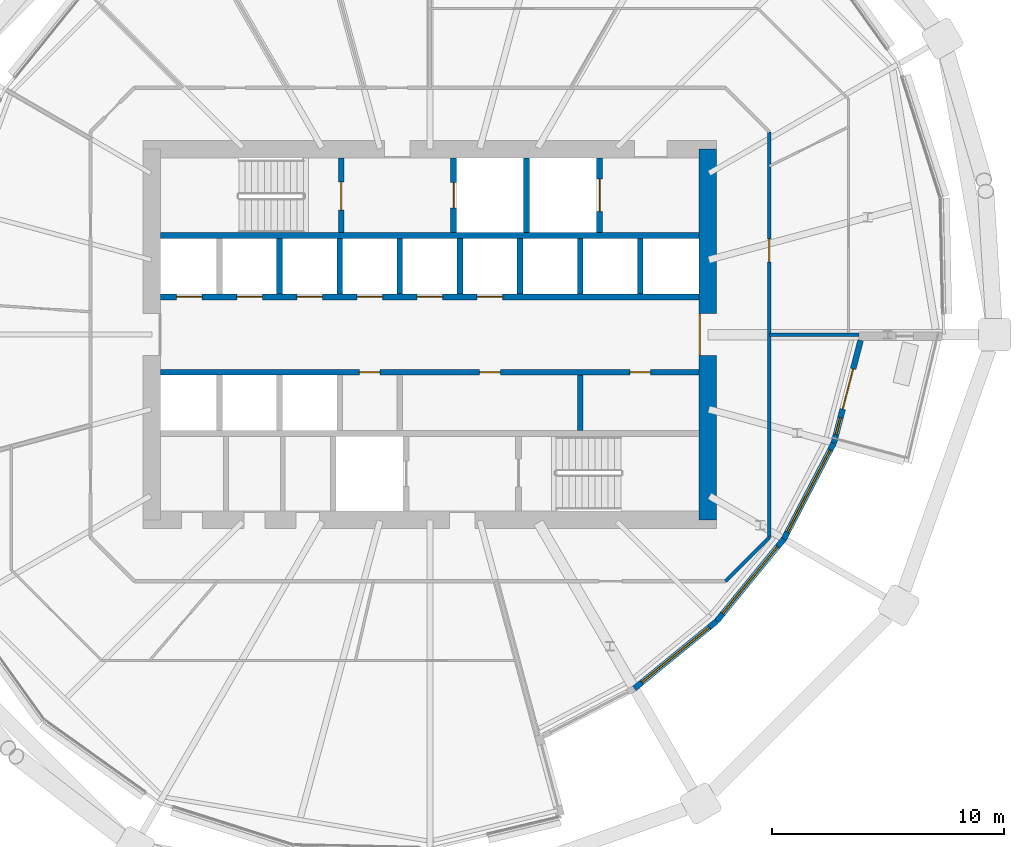
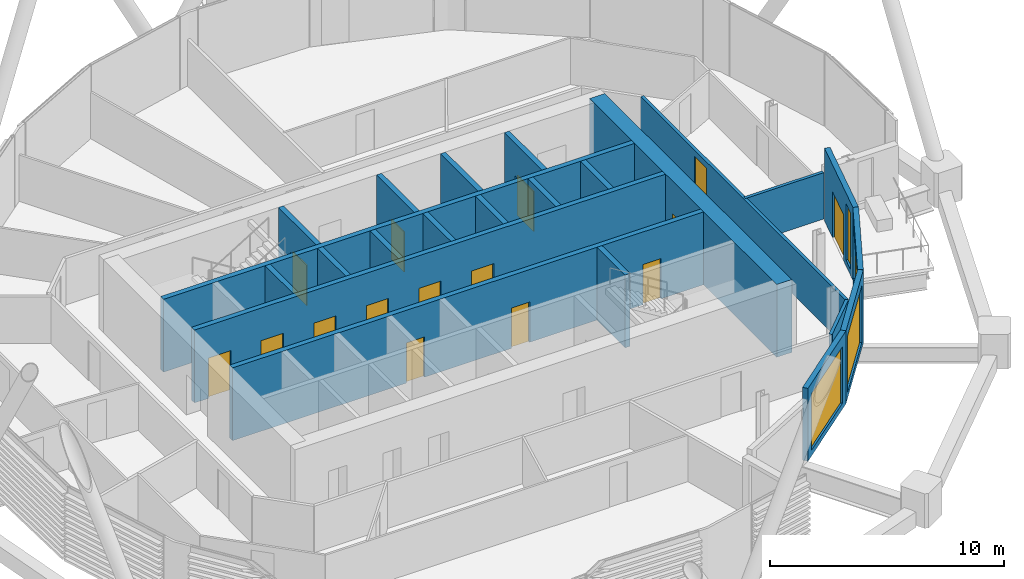
# One storey, part 27 of 38: 23 walls, 15 doors, 4 windows, 19 openings.
"""IFC4 building model written with IfcOpenShell, lengths in metres."""

from ifc_helpers import new_model, si_unit, direction, frame, frame_2d, origin, place, context, subcontext, project, spatial, rectangle, extrude, material, layer, layer_set, type_object, element, fill, save


model = new_model("IFC4")

# Units and contexts
model_context = context("Model", 3, precision=1e-05, world=origin(), true_north=direction((0.0, 1.0)))
body_context = subcontext(model_context, "Body", "Model", "MODEL_VIEW")
ifc_project = project(units=[si_unit("LENGTHUNIT", "METRE"), si_unit("AREAUNIT", "SQUARE_METRE"), si_unit("VOLUMEUNIT", "CUBIC_METRE"), si_unit("PLANEANGLEUNIT", "RADIAN"), si_unit("MASSUNIT", "GRAM", prefix="KILO")], contexts=[model_context])

# Site, building, storey
site_placement = place(None, origin())
site = spatial("IfcSite", under=ifc_project, at=site_placement, CompositionType="ELEMENT")
building_placement = place(site_placement, origin())
building = spatial("IfcBuilding", under=site, at=building_placement, Name="Rimbun Link Towers", CompositionType="ELEMENT")
storey_placement = place(building_placement, frame((0.0, 0.0, 93.0)))
storey = spatial("IfcBuildingStorey", under=building, at=storey_placement, Name="L22", CompositionType="ELEMENT", Elevation=93.0)

# Wall, opening, window
ifc_material_1 = material(Name="Dark enamelled glass spandrel on insulated aluminium backpan", Category="aluminium")
ifc_layer_1 = layer(ifc_material_1, 0.25)
ifc_layer_set_1 = layer_set([ifc_layer_1], Name="CS dark enamelled spandrel wall 250")
wall_type_1 = type_object("IfcWallType", Name="CS dark enamelled spandrel wall 250", PredefinedType="STANDARD", material=ifc_layer_set_1)
wall_1_placement = place(storey_placement, frame((44.126220703125, -12.376220703125, 0.0), z_axis=(0.0, 0.0, 1.0), x_axis=(-0.773897956984, -0.633310312703, 0.0)))
wall_1 = element("IfcWall", 1, at=wall_1_placement, inside=storey, type_object=wall_type_1, Name="Crease spandrel wall", PredefinedType="STANDARD", context=body_context, shape_type="SweptSolid", body=[
    extrude(rectangle(XDim=4.582763671875, YDim=0.25, at=frame_2d((2.29150390625, 0.0))), origin(), (0.0, 0.0, 1.0), 3.800048828125),
])
opening_1_placement = place(wall_1_placement, frame((0.416259765625, 0.0, 0.300048828125)))
opening_1 = element("IfcOpeningElement", 2, at=opening_1_placement, cuts=wall_1, Name="Opening WR38H295", PredefinedType="OPENING", context=body_context, shape_type="SweptSolid", body=[
    extrude(rectangle(XDim=3.75, YDim=2.949951171875, at=frame_2d((1.875, 1.47509765625))), frame((0.0, 0.135009765625, 0.0), z_axis=(0.0, -1.0, 0.0), x_axis=(1.0, 0.0, 0.0)), (0.0, 0.0, 1.0), 0.27001953125),
])
ifc_material_2 = material(Name="Aluminium framed fixed window, dark tinted low-e glass", Category="aluminium")
window_type_1 = type_object("IfcWindowType", Name="WR ribbon window 3750X2950", PartitioningType="SINGLE_PANEL", PredefinedType="WINDOW", material=ifc_material_2)
window_1_placement = place(opening_1_placement, origin())
window_1 = element("IfcWindow", 3, at=window_1_placement, inside=storey, type_object=window_type_1, Name="Crease ribbon window", OverallHeight=2.949951171875, OverallWidth=3.75, PartitioningType="SINGLE_PANEL", PredefinedType="WINDOW", context=body_context, shape_type="SweptSolid", body=[
    extrude(rectangle(XDim=3.75, YDim=2.949951171875, at=frame_2d((1.875, 1.47509765625))), frame((0.0, 0.030029296875, 0.0), z_axis=(0.0, -1.0, 0.0), x_axis=(1.0, 0.0, 0.0)), (0.0, 0.0, 1.0), 0.06005859375),
])
fill(opening_1, window_1)

wall_2_placement = place(storey_placement, frame((47.028564453125, -8.82958984375, 0.0), z_axis=(0.0, 0.0, 1.0), x_axis=(-0.633310312703, -0.773897956984, 0.0)))
wall_2 = element("IfcWall", 4, at=wall_2_placement, inside=storey, type_object=wall_type_1, Name="Crease spandrel wall", PredefinedType="STANDARD", context=body_context, shape_type="SweptSolid", body=[
    extrude(rectangle(XDim=4.582763671875, YDim=0.25, at=frame_2d((2.29150390625, 0.0))), origin(), (0.0, 0.0, 1.0), 3.800048828125),
])
opening_2_placement = place(wall_2_placement, frame((0.416259765625, 0.0, 0.300048828125)))
opening_2 = element("IfcOpeningElement", 5, at=opening_2_placement, cuts=wall_2, Name="Opening WR38H295", PredefinedType="OPENING", context=body_context, shape_type="SweptSolid", body=[
    extrude(rectangle(XDim=3.75, YDim=2.949951171875, at=frame_2d((1.875, 1.47509765625))), frame((0.0, 0.135009765625, 0.0), z_axis=(0.0, -1.0, 0.0), x_axis=(1.0, 0.0, 0.0)), (0.0, 0.0, 1.0), 0.27001953125),
])
window_2_placement = place(opening_2_placement, origin())
window_2 = element("IfcWindow", 6, at=window_2_placement, inside=storey, type_object=window_type_1, Name="Crease ribbon window", OverallHeight=2.949951171875, OverallWidth=3.75, PartitioningType="SINGLE_PANEL", PredefinedType="WINDOW", context=body_context, shape_type="SweptSolid", body=[
    extrude(rectangle(XDim=3.75, YDim=2.949951171875, at=frame_2d((1.875, 1.47509765625))), frame((0.0, 0.030029296875, 0.0), z_axis=(0.0, -1.0, 0.0), x_axis=(1.0, 0.0, 0.0)), (0.0, 0.0, 1.0), 0.06005859375),
])
fill(opening_2, window_2)

wall_3_placement = place(storey_placement, frame((49.186279296875, -4.685791015625, 0.0), z_axis=(0.0, 0.0, 1.0), x_axis=(-0.461847922191, -0.886959129142, 0.0)))
wall_3 = element("IfcWall", 7, at=wall_3_placement, inside=storey, type_object=wall_type_1, Name="Crease spandrel wall", PredefinedType="STANDARD", context=body_context, shape_type="SweptSolid", body=[
    extrude(rectangle(XDim=4.671875, YDim=0.25, at=frame_2d((2.3359375, 0.0))), origin(), (0.0, 0.0, 1.0), 3.800048828125),
])
opening_3_placement = place(wall_3_placement, frame((0.3359375, 0.0, 0.300048828125)))
opening_3 = element("IfcOpeningElement", 8, at=opening_3_placement, cuts=wall_3, Name="Opening WR40H295", PredefinedType="OPENING", context=body_context, shape_type="SweptSolid", body=[
    extrude(rectangle(XDim=4.0, YDim=2.949951171875, at=frame_2d((2.0, 1.47509765625))), frame((0.0, 0.135009765625, 0.0), z_axis=(0.0, -1.0, 0.0), x_axis=(1.0, 0.0, 0.0)), (0.0, 0.0, 1.0), 0.27001953125),
])
ifc_material_3 = material(Name="Aluminium framed fixed window, dark tinted low-e glass", Category="aluminium")
window_type_2 = type_object("IfcWindowType", Name="WR ribbon window 4000X2950", PartitioningType="SINGLE_PANEL", PredefinedType="WINDOW", material=ifc_material_3)
window_3_placement = place(opening_3_placement, origin())
window_3 = element("IfcWindow", 9, at=window_3_placement, inside=storey, type_object=window_type_2, Name="Crease ribbon window", OverallHeight=2.949951171875, OverallWidth=4.0, PartitioningType="SINGLE_PANEL", PredefinedType="WINDOW", context=body_context, shape_type="SweptSolid", body=[
    extrude(rectangle(XDim=4.0, YDim=2.949951171875, at=frame_2d((2.0, 1.47509765625))), frame((0.0, 0.030029296875, 0.0), z_axis=(0.0, -1.0, 0.0), x_axis=(1.0, 0.0, 0.0)), (0.0, 0.0, 1.0), 0.06005859375),
])
fill(opening_3, window_3)

# Wall, openings, door, window
wall_4_placement = place(storey_placement, frame((50.343017578125, -0.25, 0.0), z_axis=(0.0, 0.0, 1.0), x_axis=(-0.252335175564, -0.967639891268, 0.0)))
wall_4 = element("IfcWall", 10, at=wall_4_placement, inside=storey, type_object=wall_type_1, Name="Crease spandrel wall", PredefinedType="STANDARD", context=body_context, shape_type="SweptSolid", body=[
    extrude(rectangle(XDim=4.584228515625, YDim=0.25, at=frame_2d((2.2919921875, 0.0))), origin(), (0.0, 0.0, 1.0), 3.800048828125),
])
opening_4_placement = place(wall_4_placement, frame((3.453125, 0.0, 0.300048828125)))
opening_4 = element("IfcOpeningElement", 11, at=opening_4_placement, cuts=wall_4, Name="Opening WR08H295", PredefinedType="OPENING", context=body_context, shape_type="SweptSolid", body=[
    extrude(rectangle(XDim=0.75, YDim=2.949951171875, at=frame_2d((0.375, 1.47509765625))), frame((0.0, 0.135009765625, 0.0), z_axis=(0.0, -1.0, 0.0), x_axis=(1.0, 0.0, 0.0)), (0.0, 0.0, 1.0), 0.27001953125),
])
opening_5_placement = place(wall_4_placement, frame((1.272216796875, 0.0, 0.0)))
opening_5 = element("IfcOpeningElement", 12, at=opening_5_placement, cuts=wall_4, Name="Opening ED62", PredefinedType="OPENING", context=body_context, shape_type="SweptSolid", body=[
    extrude(rectangle(XDim=1.800048828125, YDim=2.39990234375, at=frame_2d((0.89990234375, 1.199951171875))), frame((0.0, 0.135009765625, 0.0), z_axis=(0.0, -1.0, 0.0), x_axis=(1.0, 0.0, 0.0)), (0.0, 0.0, 1.0), 0.27001953125),
])
ifc_material_4 = material(Name="Aluminium framed glazed door, low-iron glass", Category="aluminium")
door_type_1 = type_object("IfcDoorType", Name="ED terrace door double leaf 1800X2400", OperationType="DOUBLE_DOOR_SINGLE_SWING", PredefinedType="DOOR", material=ifc_material_4)
door_1_placement = place(opening_5_placement, origin())
door_1 = element("IfcDoor", 13, at=door_1_placement, inside=storey, type_object=door_type_1, Name="Terrace door", OperationType="SINGLE_SWING_LEFT", OverallHeight=2.39990234375, OverallWidth=1.800048828125, PredefinedType="DOOR", context=body_context, shape_type="SweptSolid", body=[
    extrude(rectangle(XDim=1.800048828125, YDim=2.39990234375, at=frame_2d((0.89990234375, 1.199951171875))), frame((0.0, 0.02490234375, 0.0), z_axis=(0.0, -1.0, 0.0), x_axis=(1.0, 0.0, 0.0)), (0.0, 0.0, 1.0), 0.050048828125),
])
fill(opening_5, door_1)
ifc_material_5 = material(Name="Aluminium framed fixed window, dark tinted low-e glass", Category="aluminium")
window_type_3 = type_object("IfcWindowType", Name="WR ribbon window 750X2950", PartitioningType="SINGLE_PANEL", PredefinedType="WINDOW", material=ifc_material_5)
window_4_placement = place(opening_4_placement, origin())
window_4 = element("IfcWindow", 14, at=window_4_placement, inside=storey, type_object=window_type_3, Name="Crease ribbon window", OverallHeight=2.949951171875, OverallWidth=0.75, PartitioningType="SINGLE_PANEL", PredefinedType="WINDOW", context=body_context, shape_type="SweptSolid", body=[
    extrude(rectangle(XDim=0.75, YDim=2.949951171875, at=frame_2d((0.375, 1.47509765625))), frame((0.0, 0.030029296875, 0.0), z_axis=(0.0, -1.0, 0.0), x_axis=(1.0, 0.0, 0.0)), (0.0, 0.0, 1.0), 0.06005859375),
])
fill(opening_4, window_4)

# Wall, opening, door
ifc_material_6 = material(Name="Concrete C60/75", Category="concrete")
ifc_layer_2 = layer(ifc_material_6, 0.75)
ifc_layer_set_2 = layer_set([ifc_layer_2], Name="Core shear wall 750")
wall_type_2 = type_object("IfcWallType", Name="Core shear wall 750", PredefinedType="SHEAR", material=ifc_layer_set_2)
wall_5_placement = place(storey_placement, frame((43.75, -8.0, 0.0), z_axis=(0.0, 0.0, 1.0), x_axis=(0.0, 1.0, 0.0)))
wall_5 = element("IfcWall", 15, at=wall_5_placement, inside=storey, type_object=wall_type_2, Name="L22 T2 core wall E", PredefinedType="SHEAR", context=body_context, shape_type="SweptSolid", body=[
    extrude(rectangle(XDim=16.0, YDim=0.75, at=frame_2d((8.0, 0.0))), origin(), (0.0, 0.0, 1.0), 3.800048828125),
])
opening_6_placement = place(wall_5_placement, frame((7.10009765625, 0.0, 0.0)))
opening_6 = element("IfcOpeningElement", 16, at=opening_6_placement, cuts=wall_5, Name="Opening C2DCL01E", PredefinedType="OPENING", context=body_context, shape_type="SweptSolid", body=[
    extrude(rectangle(XDim=1.800048828125, YDim=2.10009765625, at=frame_2d((0.89990234375, 1.050048828125))), frame((0.0, 0.385009765625, 0.0), z_axis=(0.0, -1.0, 0.0), x_axis=(1.0, 0.0, 0.0)), (0.0, 0.0, 1.0), 0.77001953125),
])
ifc_material_7 = material(Name="Steel fire door set", Category="steel")
door_type_2 = type_object("IfcDoorType", Name="Core lobby door double", OperationType="DOUBLE_DOOR_SINGLE_SWING", PredefinedType="DOOR", material=ifc_material_7)
door_2_placement = place(opening_6_placement, origin())
door_2 = element("IfcDoor", 17, at=door_2_placement, inside=storey, type_object=door_type_2, Name="L22 T2 lift lobby door", OperationType="DOUBLE_DOOR_SINGLE_SWING", OverallHeight=2.10009765625, OverallWidth=1.800048828125, PredefinedType="DOOR", context=body_context, shape_type="SweptSolid", body=[
    extrude(rectangle(XDim=1.800048828125, YDim=2.10009765625, at=frame_2d((0.89990234375, 1.050048828125))), frame((0.0, 0.375, 0.0), z_axis=(0.0, -1.0, 0.0), x_axis=(1.0, 0.0, 0.0)), (0.0, 0.0, 1.0), 0.050048828125),
])
fill(opening_6, door_2)

ifc_material_8 = material(Name="Plasterboard on steel stud, mineral wool", Category="steel")
ifc_layer_3 = layer(ifc_material_8, 0.14990234375)
ifc_layer_set_3 = layer_set([ifc_layer_3], Name="Corridor wall EI 30 150 mm")
wall_type_3 = type_object("IfcWallType", Name="Corridor wall EI 30 150 mm", PredefinedType="PARTITIONING", material=ifc_layer_set_3)
wall_6_placement = place(storey_placement, frame((46.39990234375, 8.751708984375, 0.0), z_axis=(0.0, 0.0, 1.0), x_axis=(0.0, -1.0, 0.0)))
wall_6 = element("IfcWall", 18, at=wall_6_placement, inside=storey, type_object=wall_type_3, Name="Corridor wall EI 30 150 mm", PredefinedType="PARTITIONING", context=body_context, shape_type="SweptSolid", body=[
    extrude(rectangle(XDim=17.50341796875, YDim=0.14990234375, at=frame_2d((8.751708984375, 0.0))), origin(), (0.0, 0.0, 1.0), 2.419921875),
])
opening_7_placement = place(wall_6_placement, frame((4.619140625, 0.0, 0.0)))
opening_7 = element("IfcOpeningElement", 19, at=opening_7_placement, cuts=wall_6, Name="Opening D01", PredefinedType="OPENING", context=body_context, shape_type="SweptSolid", body=[
    extrude(rectangle(XDim=1.0, YDim=2.10009765625, at=frame_2d((0.5, 1.050048828125))), frame((0.0, 0.0849609375, 0.0), z_axis=(0.0, -1.0, 0.0), x_axis=(1.0, 0.0, 0.0)), (0.0, 0.0, 1.0), 0.169921875),
])
ifc_material_9 = material(Name="Fire-resisting timber door leaf", Category="wood")
door_type_3 = type_object("IfcDoorType", Name="Fire door FD30S 1000", OperationType="NOTDEFINED", PredefinedType="DOOR", material=ifc_material_9)
door_3_placement = place(opening_7_placement, origin())
door_3 = element("IfcDoor", 20, at=door_3_placement, inside=storey, type_object=door_type_3, Name="Fire door FD30S 1000 to Reception", OperationType="SINGLE_SWING_LEFT", OverallHeight=2.10009765625, OverallWidth=1.0, PredefinedType="DOOR", context=body_context, shape_type="SweptSolid", body=[
    extrude(rectangle(XDim=1.0, YDim=2.10009765625, at=frame_2d((0.5, 1.050048828125))), frame((0.0, 0.02490234375, 0.0), z_axis=(0.0, -1.0, 0.0), x_axis=(1.0, 0.0, 0.0)), (0.0, 0.0, 1.0), 0.050048828125),
])
fill(opening_7, door_3)

# Walls
wall_7_placement = place(storey_placement, frame((44.501708984375, -10.64990234375, 0.0), z_axis=(0.0, 0.0, 1.0), x_axis=(0.707106781187, 0.707106781187, 0.0)))
element("IfcWall", 21, at=wall_7_placement, inside=storey, type_object=wall_type_3, Name="Corridor wall EI 30 150 mm", PredefinedType="PARTITIONING", context=body_context, shape_type="SweptSolid", body=[
    extrude(rectangle(XDim=2.6845703125, YDim=0.14990234375, at=frame_2d((1.34228515625, 0.0))), origin(), (0.0, 0.0, 1.0), 2.419921875),
])
ifc_material_10 = material(Name="Concrete C60/75", Category="concrete")
ifc_layer_4 = layer(ifc_material_10, 0.25)
ifc_layer_set_4 = layer_set([ifc_layer_4], Name="Shaft wall 250")
wall_type_4 = type_object("IfcWallType", Name="Shaft wall 250", PredefinedType="SHEAR", material=ifc_layer_set_4)
wall_8_placement = place(storey_placement, frame((20.125, 4.27490234375, 0.0), z_axis=(0.0, 0.0, 1.0), x_axis=(1.0, 0.0, 0.0)))
element("IfcWall", 22, at=wall_8_placement, inside=storey, type_object=wall_type_4, Name="L22 T2 core wall BN", PredefinedType="SHEAR", context=body_context, shape_type="SweptSolid", body=[
    extrude(rectangle(XDim=23.25, YDim=0.25, at=frame_2d((11.625, 0.0))), origin(), (0.0, 0.0, 1.0), 3.800048828125),
])

# Wall, openings, doors
wall_9_placement = place(storey_placement, frame((20.125, 1.625, 0.0), z_axis=(0.0, 0.0, 1.0), x_axis=(1.0, 0.0, 0.0)))
wall_9 = element("IfcWall", 23, at=wall_9_placement, inside=storey, type_object=wall_type_4, Name="L22 T2 core wall FN", PredefinedType="SHEAR", context=body_context, shape_type="SweptSolid", body=[
    extrude(rectangle(XDim=23.25, YDim=0.25, at=frame_2d((11.625, 0.0))), origin(), (0.0, 0.0, 1.0), 3.800048828125),
])
opening_8_placement = place(wall_9_placement, frame((0.697265625, 0.0, 0.0)))
opening_8 = element("IfcOpeningElement", 24, at=opening_8_placement, cuts=wall_9, Name="Opening LD-T2-LR1", PredefinedType="OPENING", context=body_context, shape_type="SweptSolid", body=[
    extrude(rectangle(XDim=1.10009765625, YDim=2.10009765625, at=frame_2d((0.550048828125, 1.050048828125))), frame((0.0, 0.135009765625, 0.0), z_axis=(0.0, -1.0, 0.0), x_axis=(1.0, 0.0, 0.0)), (0.0, 0.0, 1.0), 0.27001953125),
])
opening_9_placement = place(wall_9_placement, frame((3.291748046875, 0.0, 0.0)))
opening_9 = element("IfcOpeningElement", 25, at=opening_9_placement, cuts=wall_9, Name="Opening LD-T2-LR2", PredefinedType="OPENING", context=body_context, shape_type="SweptSolid", body=[
    extrude(rectangle(XDim=1.10009765625, YDim=2.10009765625, at=frame_2d((0.550048828125, 1.050048828125))), frame((0.0, 0.135009765625, 0.0), z_axis=(0.0, -1.0, 0.0), x_axis=(1.0, 0.0, 0.0)), (0.0, 0.0, 1.0), 0.27001953125),
])
opening_10_placement = place(wall_9_placement, frame((5.885986328125, 0.0, 0.0)))
opening_10 = element("IfcOpeningElement", 26, at=opening_10_placement, cuts=wall_9, Name="Opening LD-T2-LR3", PredefinedType="OPENING", context=body_context, shape_type="SweptSolid", body=[
    extrude(rectangle(XDim=1.10009765625, YDim=2.10009765625, at=frame_2d((0.550048828125, 1.050048828125))), frame((0.0, 0.135009765625, 0.0), z_axis=(0.0, -1.0, 0.0), x_axis=(1.0, 0.0, 0.0)), (0.0, 0.0, 1.0), 0.27001953125),
])
opening_11_placement = place(wall_9_placement, frame((8.480712890625, 0.0, 0.0)))
opening_11 = element("IfcOpeningElement", 27, at=opening_11_placement, cuts=wall_9, Name="Opening LD-T2-LR4", PredefinedType="OPENING", context=body_context, shape_type="SweptSolid", body=[
    extrude(rectangle(XDim=1.10009765625, YDim=2.10009765625, at=frame_2d((0.550048828125, 1.050048828125))), frame((0.0, 0.135009765625, 0.0), z_axis=(0.0, -1.0, 0.0), x_axis=(1.0, 0.0, 0.0)), (0.0, 0.0, 1.0), 0.27001953125),
])
opening_12_placement = place(wall_9_placement, frame((11.074951171875, 0.0, 0.0)))
opening_12 = element("IfcOpeningElement", 28, at=opening_12_placement, cuts=wall_9, Name="Opening LD-T2-LR5", PredefinedType="OPENING", context=body_context, shape_type="SweptSolid", body=[
    extrude(rectangle(XDim=1.10009765625, YDim=2.10009765625, at=frame_2d((0.550048828125, 1.050048828125))), frame((0.0, 0.135009765625, 0.0), z_axis=(0.0, -1.0, 0.0), x_axis=(1.0, 0.0, 0.0)), (0.0, 0.0, 1.0), 0.27001953125),
])
opening_13_placement = place(wall_9_placement, frame((13.66943359375, 0.0, 0.0)))
opening_13 = element("IfcOpeningElement", 29, at=opening_13_placement, cuts=wall_9, Name="Opening LD-T2-LR6", PredefinedType="OPENING", context=body_context, shape_type="SweptSolid", body=[
    extrude(rectangle(XDim=1.10009765625, YDim=2.10009765625, at=frame_2d((0.550048828125, 1.050048828125))), frame((0.0, 0.135009765625, 0.0), z_axis=(0.0, -1.0, 0.0), x_axis=(1.0, 0.0, 0.0)), (0.0, 0.0, 1.0), 0.27001953125),
])
ifc_material_11 = material(Name="Stainless steel grade 316", Category="steel")
door_type_4 = type_object("IfcDoorType", Name="Lift landing door", OperationType="DOUBLE_DOOR_SLIDING", PredefinedType="DOOR", material=ifc_material_11)
door_4_placement = place(opening_8_placement, origin())
door_4 = element("IfcDoor", 30, at=door_4_placement, inside=storey, type_object=door_type_4, Name="L22 T2 lift LR1 landing door", OperationType="DOUBLE_DOOR_SLIDING", OverallHeight=2.10009765625, OverallWidth=1.10009765625, PredefinedType="DOOR", context=body_context, shape_type="SweptSolid", body=[
    extrude(rectangle(XDim=1.10009765625, YDim=2.10009765625, at=frame_2d((0.550048828125, 1.050048828125))), frame((0.0, 0.02490234375, 0.0), z_axis=(0.0, -1.0, 0.0), x_axis=(1.0, 0.0, 0.0)), (0.0, 0.0, 1.0), 0.050048828125),
])
fill(opening_8, door_4)
door_5_placement = place(opening_9_placement, origin())
door_5 = element("IfcDoor", 31, at=door_5_placement, inside=storey, type_object=door_type_4, Name="L22 T2 lift LR2 landing door", OperationType="DOUBLE_DOOR_SLIDING", OverallHeight=2.10009765625, OverallWidth=1.10009765625, PredefinedType="DOOR", context=body_context, shape_type="SweptSolid", body=[
    extrude(rectangle(XDim=1.10009765625, YDim=2.10009765625, at=frame_2d((0.550048828125, 1.050048828125))), frame((0.0, 0.02490234375, 0.0), z_axis=(0.0, -1.0, 0.0), x_axis=(1.0, 0.0, 0.0)), (0.0, 0.0, 1.0), 0.050048828125),
])
fill(opening_9, door_5)
door_6_placement = place(opening_10_placement, origin())
door_6 = element("IfcDoor", 32, at=door_6_placement, inside=storey, type_object=door_type_4, Name="L22 T2 lift LR3 landing door", OperationType="DOUBLE_DOOR_SLIDING", OverallHeight=2.10009765625, OverallWidth=1.10009765625, PredefinedType="DOOR", context=body_context, shape_type="SweptSolid", body=[
    extrude(rectangle(XDim=1.10009765625, YDim=2.10009765625, at=frame_2d((0.550048828125, 1.050048828125))), frame((0.0, 0.02490234375, 0.0), z_axis=(0.0, -1.0, 0.0), x_axis=(1.0, 0.0, 0.0)), (0.0, 0.0, 1.0), 0.050048828125),
])
fill(opening_10, door_6)
door_7_placement = place(opening_11_placement, origin())
door_7 = element("IfcDoor", 33, at=door_7_placement, inside=storey, type_object=door_type_4, Name="L22 T2 lift LR4 landing door", OperationType="DOUBLE_DOOR_SLIDING", OverallHeight=2.10009765625, OverallWidth=1.10009765625, PredefinedType="DOOR", context=body_context, shape_type="SweptSolid", body=[
    extrude(rectangle(XDim=1.10009765625, YDim=2.10009765625, at=frame_2d((0.550048828125, 1.050048828125))), frame((0.0, 0.02490234375, 0.0), z_axis=(0.0, -1.0, 0.0), x_axis=(1.0, 0.0, 0.0)), (0.0, 0.0, 1.0), 0.050048828125),
])
fill(opening_11, door_7)
door_8_placement = place(opening_12_placement, origin())
door_8 = element("IfcDoor", 34, at=door_8_placement, inside=storey, type_object=door_type_4, Name="L22 T2 lift LR5 landing door", OperationType="DOUBLE_DOOR_SLIDING", OverallHeight=2.10009765625, OverallWidth=1.10009765625, PredefinedType="DOOR", context=body_context, shape_type="SweptSolid", body=[
    extrude(rectangle(XDim=1.10009765625, YDim=2.10009765625, at=frame_2d((0.550048828125, 1.050048828125))), frame((0.0, 0.02490234375, 0.0), z_axis=(0.0, -1.0, 0.0), x_axis=(1.0, 0.0, 0.0)), (0.0, 0.0, 1.0), 0.050048828125),
])
fill(opening_12, door_8)
door_9_placement = place(opening_13_placement, origin())
door_9 = element("IfcDoor", 35, at=door_9_placement, inside=storey, type_object=door_type_4, Name="L22 T2 lift LR6 landing door", OperationType="DOUBLE_DOOR_SLIDING", OverallHeight=2.10009765625, OverallWidth=1.10009765625, PredefinedType="DOOR", context=body_context, shape_type="SweptSolid", body=[
    extrude(rectangle(XDim=1.10009765625, YDim=2.10009765625, at=frame_2d((0.550048828125, 1.050048828125))), frame((0.0, 0.02490234375, 0.0), z_axis=(0.0, -1.0, 0.0), x_axis=(1.0, 0.0, 0.0)), (0.0, 0.0, 1.0), 0.050048828125),
])
fill(opening_13, door_9)

wall_10_placement = place(storey_placement, frame((20.125, -1.625, 0.0), z_axis=(0.0, 0.0, 1.0), x_axis=(1.0, 0.0, 0.0)))
wall_10 = element("IfcWall", 36, at=wall_10_placement, inside=storey, type_object=wall_type_4, Name="L22 T2 core wall FS", PredefinedType="SHEAR", context=body_context, shape_type="SweptSolid", body=[
    extrude(rectangle(XDim=23.25, YDim=0.25, at=frame_2d((11.625, 0.0))), origin(), (0.0, 0.0, 1.0), 3.800048828125),
])
opening_14_placement = place(wall_10_placement, frame((8.58056640625, 0.0, 0.0)))
opening_14 = element("IfcOpeningElement", 37, at=opening_14_placement, cuts=wall_10, Name="Opening C2DRS01FS", PredefinedType="OPENING", context=body_context, shape_type="SweptSolid", body=[
    extrude(rectangle(XDim=0.89990234375, YDim=2.10009765625, at=frame_2d((0.449951171875, 1.050048828125))), frame((0.0, 0.135009765625, 0.0), z_axis=(0.0, -1.0, 0.0), x_axis=(1.0, 0.0, 0.0)), (0.0, 0.0, 1.0), 0.27001953125),
])
opening_15_placement = place(wall_10_placement, frame((13.769287109375, 0.0, 0.0)))
opening_15 = element("IfcOpeningElement", 38, at=opening_15_placement, cuts=wall_10, Name="Opening C2DRS02FS", PredefinedType="OPENING", context=body_context, shape_type="SweptSolid", body=[
    extrude(rectangle(XDim=0.89990234375, YDim=2.10009765625, at=frame_2d((0.449951171875, 1.050048828125))), frame((0.0, 0.135009765625, 0.0), z_axis=(0.0, -1.0, 0.0), x_axis=(1.0, 0.0, 0.0)), (0.0, 0.0, 1.0), 0.27001953125),
])
opening_16_placement = place(wall_10_placement, frame((20.255615234375, 0.0, 0.0)))
opening_16 = element("IfcOpeningElement", 39, at=opening_16_placement, cuts=wall_10, Name="Opening C2DRS03FS", PredefinedType="OPENING", context=body_context, shape_type="SweptSolid", body=[
    extrude(rectangle(XDim=0.89990234375, YDim=2.10009765625, at=frame_2d((0.449951171875, 1.050048828125))), frame((0.0, 0.135009765625, 0.0), z_axis=(0.0, -1.0, 0.0), x_axis=(1.0, 0.0, 0.0)), (0.0, 0.0, 1.0), 0.27001953125),
])
ifc_material_12 = material(Name="Steel fire door set", Category="steel")
door_type_5 = type_object("IfcDoorType", Name="Core riser door", OperationType="SINGLE_SWING_LEFT", PredefinedType="DOOR", material=ifc_material_12)
door_10_placement = place(opening_14_placement, origin())
door_10 = element("IfcDoor", 40, at=door_10_placement, inside=storey, type_object=door_type_5, Name="L22 T2 stationery store door", OperationType="SINGLE_SWING_LEFT", OverallHeight=2.10009765625, OverallWidth=0.89990234375, PredefinedType="DOOR", context=body_context, shape_type="SweptSolid", body=[
    extrude(rectangle(XDim=0.89990234375, YDim=2.10009765625, at=frame_2d((0.449951171875, 1.050048828125))), frame((0.0, 0.02490234375, 0.0), z_axis=(0.0, -1.0, 0.0), x_axis=(1.0, 0.0, 0.0)), (0.0, 0.0, 1.0), 0.050048828125),
])
fill(opening_14, door_10)
door_11_placement = place(opening_15_placement, origin())
door_11 = element("IfcDoor", 41, at=door_11_placement, inside=storey, type_object=door_type_5, Name="L22 T2 records store door", OperationType="SINGLE_SWING_LEFT", OverallHeight=2.10009765625, OverallWidth=0.89990234375, PredefinedType="DOOR", context=body_context, shape_type="SweptSolid", body=[
    extrude(rectangle(XDim=0.89990234375, YDim=2.10009765625, at=frame_2d((0.449951171875, 1.050048828125))), frame((0.0, 0.02490234375, 0.0), z_axis=(0.0, -1.0, 0.0), x_axis=(1.0, 0.0, 0.0)), (0.0, 0.0, 1.0), 0.050048828125),
])
fill(opening_15, door_11)
door_12_placement = place(opening_16_placement, origin())
door_12 = element("IfcDoor", 42, at=door_12_placement, inside=storey, type_object=door_type_5, Name="L22 T2 print room door", OperationType="SINGLE_SWING_LEFT", OverallHeight=2.10009765625, OverallWidth=0.89990234375, PredefinedType="DOOR", context=body_context, shape_type="SweptSolid", body=[
    extrude(rectangle(XDim=0.89990234375, YDim=2.10009765625, at=frame_2d((0.449951171875, 1.050048828125))), frame((0.0, 0.02490234375, 0.0), z_axis=(0.0, -1.0, 0.0), x_axis=(1.0, 0.0, 0.0)), (0.0, 0.0, 1.0), 0.050048828125),
])
fill(opening_16, door_12)

# Walls
for number, where, z_axis, x_axis, name in (
    (43, (25.263916015625, 1.75, 0.0), (0.0, 0.0, 1.0), (0.0, 1.0, 0.0), "L22 T2 core wall DN1"),
    (44, (27.8583984375, 1.75, 0.0), (0.0, 0.0, 1.0), (0.0, 1.0, 0.0), "L22 T2 core wall DN2"),
    (45, (30.452880859375, 1.75, 0.0), (0.0, 0.0, 1.0), (0.0, 1.0, 0.0), "L22 T2 core wall DN3"),
    (46, (33.047119140625, 1.75, 0.0), (0.0, 0.0, 1.0), (0.0, 1.0, 0.0), "L22 T2 core wall DN4"),
    (47, (35.6416015625, 1.75, 0.0), (0.0, 0.0, 1.0), (0.0, 1.0, 0.0), "L22 T2 core wall DN5"),
    (48, (38.236083984375, 1.75, 0.0), (0.0, 0.0, 1.0), (0.0, 1.0, 0.0), "L22 T2 core wall DN6"),
    (49, (40.83056640625, 1.75, 0.0), (0.0, 0.0, 1.0), (0.0, 1.0, 0.0), "L22 T2 core wall DN7"),
    (50, (38.236083984375, -4.14990234375, 0.0), (0.0, 0.0, 1.0), (0.0, 1.0, 0.0), "L22 T2 core wall DS6"),
):
    element("IfcWall", number, at=place(storey_placement, frame(where, z_axis=z_axis, x_axis=x_axis)), inside=storey, type_object=wall_type_4, Name=name, PredefinedType="SHEAR", context=body_context, shape_type="SweptSolid", body=[
        extrude(rectangle(XDim=2.39990234375, YDim=0.25, at=frame_2d((1.199951171875, 0.0))), origin(), (0.0, 0.0, 1.0), 3.800048828125),
    ])

# Wall, opening, door
wall_11_placement = place(storey_placement, frame((27.925048828125, 4.39990234375, 0.0), z_axis=(0.0, 0.0, 1.0), x_axis=(0.0, 1.0, 0.0)))
wall_11 = element("IfcWall", 51, at=wall_11_placement, inside=storey, type_object=wall_type_4, Name="L22 T2 core wall A1", PredefinedType="SHEAR", context=body_context, shape_type="SweptSolid", body=[
    extrude(rectangle(XDim=3.22509765625, YDim=0.25, at=frame_2d((1.612548828125, 0.0))), origin(), (0.0, 0.0, 1.0), 3.800048828125),
])
opening_17_placement = place(wall_11_placement, frame((0.97509765625, 0.0, 0.0)))
opening_17 = element("IfcOpeningElement", 52, at=opening_17_placement, cuts=wall_11, Name="Opening C2DST01A1", PredefinedType="OPENING", context=body_context, shape_type="SweptSolid", body=[
    extrude(rectangle(XDim=1.199951171875, YDim=2.10009765625, at=frame_2d((0.60009765625, 1.050048828125))), frame((0.0, 0.135009765625, 0.0), z_axis=(0.0, -1.0, 0.0), x_axis=(1.0, 0.0, 0.0)), (0.0, 0.0, 1.0), 0.27001953125),
])
ifc_material_13 = material(Name="Steel fire door set", Category="steel")
door_type_6 = type_object("IfcDoorType", Name="Stair door", OperationType="SINGLE_SWING_LEFT", PredefinedType="DOOR", material=ifc_material_13)
door_13_placement = place(opening_17_placement, origin())
door_13 = element("IfcDoor", 53, at=door_13_placement, inside=storey, type_object=door_type_6, Name="L22 T2 stair a door", OperationType="SINGLE_SWING_RIGHT", OverallHeight=2.10009765625, OverallWidth=1.199951171875, PredefinedType="DOOR", context=body_context, shape_type="SweptSolid", body=[
    extrude(rectangle(XDim=1.199951171875, YDim=2.10009765625, at=frame_2d((0.60009765625, 1.050048828125))), frame((0.0, 0.02490234375, 0.0), z_axis=(0.0, -1.0, 0.0), x_axis=(1.0, 0.0, 0.0)), (0.0, 0.0, 1.0), 0.050048828125),
])
fill(opening_17, door_13)

wall_12_placement = place(storey_placement, frame((32.77490234375, 4.39990234375, 0.0), z_axis=(0.0, 0.0, 1.0), x_axis=(0.0, 1.0, 0.0)))
wall_12 = element("IfcWall", 54, at=wall_12_placement, inside=storey, type_object=wall_type_4, Name="L22 T2 core wall A2", PredefinedType="SHEAR", context=body_context, shape_type="SweptSolid", body=[
    extrude(rectangle(XDim=3.22509765625, YDim=0.25, at=frame_2d((1.612548828125, 0.0))), origin(), (0.0, 0.0, 1.0), 3.800048828125),
])
opening_18_placement = place(wall_12_placement, frame((1.0625, 0.0, 0.0)))
opening_18 = element("IfcOpeningElement", 55, at=opening_18_placement, cuts=wall_12, Name="Opening LD-T2-FF1", PredefinedType="OPENING", context=body_context, shape_type="SweptSolid", body=[
    extrude(rectangle(XDim=1.10009765625, YDim=2.10009765625, at=frame_2d((0.550048828125, 1.050048828125))), frame((0.0, 0.135009765625, 0.0), z_axis=(0.0, -1.0, 0.0), x_axis=(1.0, 0.0, 0.0)), (0.0, 0.0, 1.0), 0.27001953125),
])
door_14_placement = place(opening_18_placement, origin())
door_14 = element("IfcDoor", 56, at=door_14_placement, inside=storey, type_object=door_type_4, Name="L22 T2 lift FF1 landing door", OperationType="DOUBLE_DOOR_SLIDING", OverallHeight=2.10009765625, OverallWidth=1.10009765625, PredefinedType="DOOR", context=body_context, shape_type="SweptSolid", body=[
    extrude(rectangle(XDim=1.10009765625, YDim=2.10009765625, at=frame_2d((0.550048828125, 1.050048828125))), frame((0.0, 0.02490234375, 0.0), z_axis=(0.0, -1.0, 0.0), x_axis=(1.0, 0.0, 0.0)), (0.0, 0.0, 1.0), 0.050048828125),
])
fill(opening_18, door_14)

# Wall
wall_13_placement = place(storey_placement, frame((35.925048828125, 4.39990234375, 0.0), z_axis=(0.0, 0.0, 1.0), x_axis=(0.0, 1.0, 0.0)))
element("IfcWall", 57, at=wall_13_placement, inside=storey, type_object=wall_type_4, Name="L22 T2 core wall A3", PredefinedType="SHEAR", context=body_context, shape_type="SweptSolid", body=[
    extrude(rectangle(XDim=3.22509765625, YDim=0.25, at=frame_2d((1.612548828125, 0.0))), origin(), (0.0, 0.0, 1.0), 3.800048828125),
])

# Wall, opening, door
wall_14_placement = place(storey_placement, frame((39.074951171875, 4.39990234375, 0.0), z_axis=(0.0, 0.0, 1.0), x_axis=(0.0, 1.0, 0.0)))
wall_14 = element("IfcWall", 58, at=wall_14_placement, inside=storey, type_object=wall_type_4, Name="L22 T2 core wall A4", PredefinedType="SHEAR", context=body_context, shape_type="SweptSolid", body=[
    extrude(rectangle(XDim=3.22509765625, YDim=0.25, at=frame_2d((1.612548828125, 0.0))), origin(), (0.0, 0.0, 1.0), 3.800048828125),
])
opening_19_placement = place(wall_14_placement, frame((0.91259765625, 0.0, 0.0)))
opening_19 = element("IfcOpeningElement", 59, at=opening_19_placement, cuts=wall_14, Name="Opening LD-T2-GL1", PredefinedType="OPENING", context=body_context, shape_type="SweptSolid", body=[
    extrude(rectangle(XDim=1.39990234375, YDim=2.10009765625, at=frame_2d((0.699951171875, 1.050048828125))), frame((0.0, 0.135009765625, 0.0), z_axis=(0.0, -1.0, 0.0), x_axis=(1.0, 0.0, 0.0)), (0.0, 0.0, 1.0), 0.27001953125),
])
ifc_material_14 = material(Name="Stainless steel grade 316", Category="steel")
door_type_7 = type_object("IfcDoorType", Name="Goods lift landing door", OperationType="DOUBLE_DOOR_SLIDING", PredefinedType="DOOR", material=ifc_material_14)
door_15_placement = place(opening_19_placement, origin())
door_15 = element("IfcDoor", 60, at=door_15_placement, inside=storey, type_object=door_type_7, Name="L22 T2 lift GL1 landing door", OperationType="DOUBLE_DOOR_SLIDING", OverallHeight=2.10009765625, OverallWidth=1.39990234375, PredefinedType="DOOR", context=body_context, shape_type="SweptSolid", body=[
    extrude(rectangle(XDim=1.39990234375, YDim=2.10009765625, at=frame_2d((0.699951171875, 1.050048828125))), frame((0.0, 0.02490234375, 0.0), z_axis=(0.0, -1.0, 0.0), x_axis=(1.0, 0.0, 0.0)), (0.0, 0.0, 1.0), 0.050048828125),
])
fill(opening_19, door_15)

# Wall
ifc_material_15 = material(Name="Plasterboard on steel stud, mineral wool", Category="steel")
ifc_layer_5 = layer(ifc_material_15, 0.14990234375)
ifc_layer_set_5 = layer_set([ifc_layer_5], Name="Tenancy separation wall EI 60 150 mm")
wall_type_5 = type_object("IfcWallType", Name="Tenancy separation wall EI 60 150 mm", PredefinedType="PARTITIONING", material=ifc_layer_set_5)
wall_15_placement = place(storey_placement, frame((46.39990234375, 0.0, 0.0), z_axis=(0.0, 0.0, 1.0), x_axis=(1.0, 0.0, 0.0)))
element("IfcWall", 61, at=wall_15_placement, inside=storey, type_object=wall_type_5, Name="Tenancy separation wall EI 60 150 mm", PredefinedType="PARTITIONING", context=body_context, shape_type="SweptSolid", body=[
    extrude(rectangle(XDim=3.879150390625, YDim=0.14990234375, at=frame_2d((1.939453125, 0.0))), origin(), (0.0, 0.0, 1.0), 2.419921875),
])

save(model, "model.ifc")
